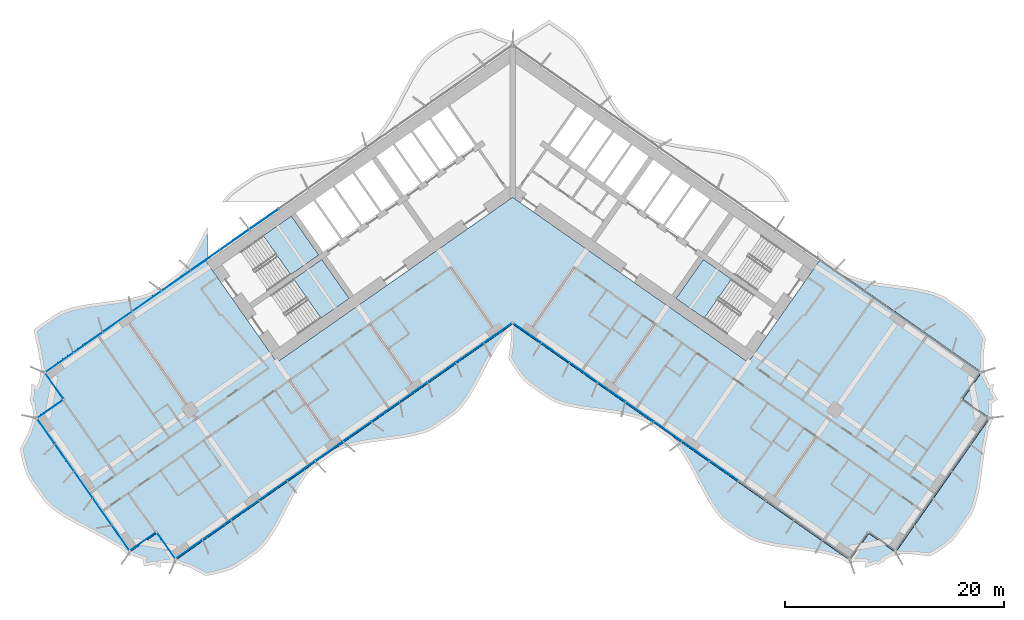
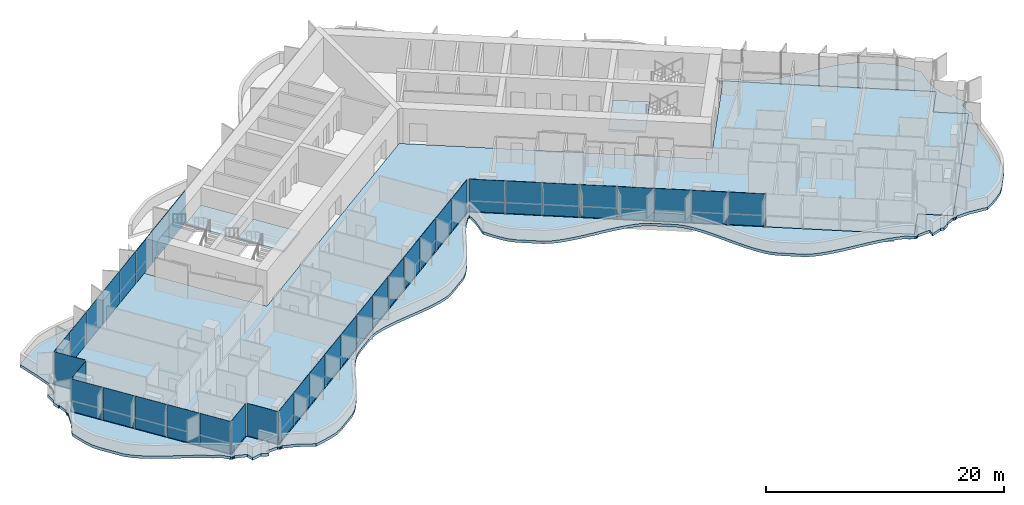
# One storey, part 11 of 24: 37 plates, 5 slabs, 5 elements without a shape of their own.
"""IFC4 building model written with IfcOpenShell, lengths in metres."""

from ifc_helpers import new_model, si_unit, direction, frame, origin, origin_2d, place, context, subcontext, project, spatial, polyline, rectangle, outline, extrude, material, layer, layer_set, type_object, element, aggregate, save


model = new_model("IFC4")

# Units and contexts
model_context = context("Model", 3, precision=1e-05, world=origin(), true_north=direction((0.0, 1.0)))
body_context = subcontext(model_context, "Body", "Model", "MODEL_VIEW")
ifc_project = project(units=[si_unit("LENGTHUNIT", "METRE"), si_unit("AREAUNIT", "SQUARE_METRE"), si_unit("VOLUMEUNIT", "CUBIC_METRE"), si_unit("PLANEANGLEUNIT", "RADIAN"), si_unit("MASSUNIT", "GRAM", prefix="KILO")], contexts=[model_context])

# Site, building, storey
site_placement = place(None, origin())
site = spatial("IfcSite", under=ifc_project, at=site_placement, CompositionType="ELEMENT")
building_placement = place(site_placement, origin())
building = spatial("IfcBuilding", under=site, at=building_placement, Name="Tel Ilan Convention Tower", CompositionType="ELEMENT")
storey_placement = place(building_placement, frame((0.0, 0.0, 65.300048828125)))
storey = spatial("IfcBuildingStorey", under=building, at=storey_placement, Name="L11", CompositionType="ELEMENT", Elevation=65.300048828125)

# Curtain wall, plates
ifc_material_1 = material(Name="Aluminium, bronze anodised", Category="aluminium")
curtain_wall_type_1 = type_object("IfcCurtainWallType", Name="CW1 UNITISED CURTAIN WALL, HOTEL TINTED GLASS", PredefinedType="NOTDEFINED", material=ifc_material_1)
curtain_wall_1_placement = place(storey_placement, origin())
curtain_wall_1 = element("IfcCurtainWall", 1, at=curtain_wall_1_placement, inside=storey, type_object=curtain_wall_type_1, Name="Curtain wall CW1-12.02", PredefinedType="NOTDEFINED")
ifc_material_2 = material(Name="Glass, bronze tinted, two-ply unitised", Category="glass")
ifc_layer_1 = layer(ifc_material_2, 0.028076171875)
ifc_layer_set_1 = layer_set([ifc_layer_1], Name="CW HOTEL GLASS PANEL 28")
plate_type_1 = type_object("IfcPlateType", Name="CW HOTEL GLASS PANEL 28", PredefinedType="CURTAIN_PANEL", material=ifc_layer_set_1)
plate_1_placement = place(storey_placement, frame((-30.765869140625, -8.846435546875, 0.0), z_axis=(0.0, 0.0, 1.0), x_axis=(-0.819152044289, -0.573576436351, 0.0)))
plate_1 = element("IfcPlate", 2, at=plate_1_placement, type_object=plate_type_1, Name="Glass panel", PredefinedType="CURTAIN_PANEL", context=body_context, shape_type="SweptSolid", body=[
    extrude(rectangle(XDim=3.2119140625, YDim=0.028076171875, at=origin_2d()), origin(), (0.0, 0.0, 1.0), 3.320068359375),
])
plate_2_placement = place(storey_placement, frame((-33.446044921875, -10.72314453125, 0.0), z_axis=(0.0, 0.0, 1.0), x_axis=(-0.819152044289, -0.573576436351, 0.0)))
plate_2 = element("IfcPlate", 3, at=plate_2_placement, type_object=plate_type_1, Name="Glass panel", PredefinedType="CURTAIN_PANEL", context=body_context, shape_type="SweptSolid", body=[
    extrude(rectangle(XDim=3.2119140625, YDim=0.028076171875, at=origin_2d()), origin(), (0.0, 0.0, 1.0), 3.320068359375),
])
plate_3_placement = place(storey_placement, frame((-36.12646484375, -12.599853515625, 0.0), z_axis=(0.0, 0.0, 1.0), x_axis=(-0.819152044289, -0.573576436351, 0.0)))
plate_3 = element("IfcPlate", 4, at=plate_3_placement, type_object=plate_type_1, Name="Glass panel", PredefinedType="CURTAIN_PANEL", context=body_context, shape_type="SweptSolid", body=[
    extrude(rectangle(XDim=3.2119140625, YDim=0.028076171875, at=origin_2d()), origin(), (0.0, 0.0, 1.0), 3.320068359375),
])
plate_4_placement = place(storey_placement, frame((-38.806640625, -14.4765625, 0.0), z_axis=(0.0, 0.0, 1.0), x_axis=(-0.819152044289, -0.573576436351, 0.0)))
plate_4 = element("IfcPlate", 5, at=plate_4_placement, type_object=plate_type_1, Name="Glass panel", PredefinedType="CURTAIN_PANEL", context=body_context, shape_type="SweptSolid", body=[
    extrude(rectangle(XDim=3.2119140625, YDim=0.028076171875, at=origin_2d()), origin(), (0.0, 0.0, 1.0), 3.320068359375),
])
plate_5_placement = place(storey_placement, frame((-41.448486328125, -16.326416015625, 0.0), z_axis=(0.0, 0.0, 1.0), x_axis=(-0.819152044289, -0.573576436351, 0.0)))
plate_5 = element("IfcPlate", 6, at=plate_5_placement, type_object=plate_type_1, Name="Glass panel", PredefinedType="CURTAIN_PANEL", context=body_context, shape_type="SweptSolid", body=[
    extrude(rectangle(XDim=3.117919921875, YDim=0.028076171875, at=origin_2d()), origin(), (0.0, 0.0, 1.0), 3.320068359375),
])
plate_6_placement = place(storey_placement, frame((-41.90673828125, -18.431640625, 0.0), z_axis=(0.0, 0.0, 1.0), x_axis=(0.573576436351, -0.819152044289, 0.0)))
plate_6 = element("IfcPlate", 7, at=plate_6_placement, type_object=plate_type_1, Name="Glass panel", PredefinedType="CURTAIN_PANEL", context=body_context, shape_type="SweptSolid", body=[
    extrude(rectangle(XDim=2.875, YDim=0.028076171875, at=origin_2d()), origin(), (0.0, 0.0, 1.0), 3.320068359375),
])
plate_7_placement = place(storey_placement, frame((-42.28466796875, -20.57421875, 0.0), z_axis=(0.0, 0.0, 1.0), x_axis=(-0.819152044289, -0.573576436351, 0.0)))
plate_7 = element("IfcPlate", 8, at=plate_7_placement, type_object=plate_type_1, Name="Glass panel", PredefinedType="CURTAIN_PANEL", context=body_context, shape_type="SweptSolid", body=[
    extrude(rectangle(XDim=2.875, YDim=0.028076171875, at=origin_2d()), origin(), (0.0, 0.0, 1.0), 3.320068359375),
])
plate_8_placement = place(storey_placement, frame((-42.65185546875, -22.597900390625, 0.0), z_axis=(0.0, 0.0, 1.0), x_axis=(0.573576436351, -0.819152044289, 0.0)))
plate_8 = element("IfcPlate", 9, at=plate_8_placement, type_object=plate_type_1, Name="Glass panel", PredefinedType="CURTAIN_PANEL", context=body_context, shape_type="SweptSolid", body=[
    extrude(rectangle(XDim=2.845947265625, YDim=0.028076171875, at=origin_2d()), origin(), (0.0, 0.0, 1.0), 3.320068359375),
])
plate_9_placement = place(storey_placement, frame((-40.9580078125, -25.016845703125, 0.0), z_axis=(0.0, 0.0, 1.0), x_axis=(0.573576436351, -0.819152044289, 0.0)))
plate_9 = element("IfcPlate", 10, at=plate_9_placement, type_object=plate_type_1, Name="Glass panel", PredefinedType="CURTAIN_PANEL", context=body_context, shape_type="SweptSolid", body=[
    extrude(rectangle(XDim=2.93994140625, YDim=0.028076171875, at=origin_2d()), origin(), (0.0, 0.0, 1.0), 3.320068359375),
])
plate_10_placement = place(storey_placement, frame((-39.2373046875, -27.474365234375, 0.0), z_axis=(0.0, 0.0, 1.0), x_axis=(0.573576436351, -0.819152044289, 0.0)))
plate_10 = element("IfcPlate", 11, at=plate_10_placement, type_object=plate_type_1, Name="Glass panel", PredefinedType="CURTAIN_PANEL", context=body_context, shape_type="SweptSolid", body=[
    extrude(rectangle(XDim=2.93994140625, YDim=0.028076171875, at=origin_2d()), origin(), (0.0, 0.0, 1.0), 3.320068359375),
])
plate_11_placement = place(storey_placement, frame((-37.5166015625, -29.931884765625, 0.0), z_axis=(0.0, 0.0, 1.0), x_axis=(0.573576436351, -0.819152044289, 0.0)))
plate_11 = element("IfcPlate", 12, at=plate_11_placement, type_object=plate_type_1, Name="Glass panel", PredefinedType="CURTAIN_PANEL", context=body_context, shape_type="SweptSolid", body=[
    extrude(rectangle(XDim=2.93994140625, YDim=0.028076171875, at=origin_2d()), origin(), (0.0, 0.0, 1.0), 3.320068359375),
])
plate_12_placement = place(storey_placement, frame((-35.822998046875, -32.350830078125, 0.0), z_axis=(0.0, 0.0, 1.0), x_axis=(0.573576436351, -0.819152044289, 0.0)))
plate_12 = element("IfcPlate", 13, at=plate_12_placement, type_object=plate_type_1, Name="Glass panel", PredefinedType="CURTAIN_PANEL", context=body_context, shape_type="SweptSolid", body=[
    extrude(rectangle(XDim=2.845947265625, YDim=0.028076171875, at=origin_2d()), origin(), (0.0, 0.0, 1.0), 3.320068359375),
])
plate_13_placement = place(storey_placement, frame((-33.795654296875, -32.69775390625, 0.0), z_axis=(0.0, 0.0, 1.0), x_axis=(0.819152044289, 0.573576436351, 0.0)))
plate_13 = element("IfcPlate", 14, at=plate_13_placement, type_object=plate_type_1, Name="Glass panel", PredefinedType="CURTAIN_PANEL", context=body_context, shape_type="SweptSolid", body=[
    extrude(rectangle(XDim=2.875, YDim=0.028076171875, at=origin_2d()), origin(), (0.0, 0.0, 1.0), 3.320068359375),
])
plate_14_placement = place(storey_placement, frame((-31.653076171875, -33.07568359375, 0.0), z_axis=(0.0, 0.0, 1.0), x_axis=(0.573576436351, -0.819152044289, 0.0)))
plate_14 = element("IfcPlate", 15, at=plate_14_placement, type_object=plate_type_1, Name="Glass panel", PredefinedType="CURTAIN_PANEL", context=body_context, shape_type="SweptSolid", body=[
    extrude(rectangle(XDim=2.875, YDim=0.028076171875, at=origin_2d()), origin(), (0.0, 0.0, 1.0), 3.320068359375),
])
plate_15_placement = place(storey_placement, frame((-29.5732421875, -33.4033203125, 0.0), z_axis=(0.0, 0.0, 1.0), x_axis=(0.819152044289, 0.573576436351, 0.0)))
plate_15 = element("IfcPlate", 16, at=plate_15_placement, type_object=plate_type_1, Name="Glass panel", PredefinedType="CURTAIN_PANEL", context=body_context, shape_type="SweptSolid", body=[
    extrude(rectangle(XDim=2.9833984375, YDim=0.028076171875, at=origin_2d()), origin(), (0.0, 0.0, 1.0), 3.320068359375),
])
plate_16_placement = place(storey_placement, frame((-27.041748046875, -31.630859375, 0.0), z_axis=(0.0, 0.0, 1.0), x_axis=(0.819152044289, 0.573576436351, 0.0)))
plate_16 = element("IfcPlate", 17, at=plate_16_placement, type_object=plate_type_1, Name="Glass panel", PredefinedType="CURTAIN_PANEL", context=body_context, shape_type="SweptSolid", body=[
    extrude(rectangle(XDim=3.077392578125, YDim=0.028076171875, at=origin_2d()), origin(), (0.0, 0.0, 1.0), 3.320068359375),
])
plate_17_placement = place(storey_placement, frame((-24.4716796875, -29.831298828125, 0.0), z_axis=(0.0, 0.0, 1.0), x_axis=(0.819152044289, 0.573576436351, 0.0)))
plate_17 = element("IfcPlate", 18, at=plate_17_placement, type_object=plate_type_1, Name="Glass panel", PredefinedType="CURTAIN_PANEL", context=body_context, shape_type="SweptSolid", body=[
    extrude(rectangle(XDim=3.077392578125, YDim=0.028076171875, at=origin_2d()), origin(), (0.0, 0.0, 1.0), 3.320068359375),
])
plate_18_placement = place(storey_placement, frame((-21.90185546875, -28.031982421875, 0.0), z_axis=(0.0, 0.0, 1.0), x_axis=(0.819152044289, 0.573576436351, 0.0)))
plate_18 = element("IfcPlate", 19, at=plate_18_placement, type_object=plate_type_1, Name="Glass panel", PredefinedType="CURTAIN_PANEL", context=body_context, shape_type="SweptSolid", body=[
    extrude(rectangle(XDim=3.077392578125, YDim=0.028076171875, at=origin_2d()), origin(), (0.0, 0.0, 1.0), 3.320068359375),
])
plate_19_placement = place(storey_placement, frame((-19.33203125, -26.232421875, 0.0), z_axis=(0.0, 0.0, 1.0), x_axis=(0.819152044289, 0.573576436351, 0.0)))
plate_19 = element("IfcPlate", 20, at=plate_19_placement, type_object=plate_type_1, Name="Glass panel", PredefinedType="CURTAIN_PANEL", context=body_context, shape_type="SweptSolid", body=[
    extrude(rectangle(XDim=3.077392578125, YDim=0.028076171875, at=origin_2d()), origin(), (0.0, 0.0, 1.0), 3.320068359375),
])
plate_20_placement = place(storey_placement, frame((-16.761962890625, -24.432861328125, 0.0), z_axis=(0.0, 0.0, 1.0), x_axis=(0.819152044289, 0.573576436351, 0.0)))
plate_20 = element("IfcPlate", 21, at=plate_20_placement, type_object=plate_type_1, Name="Glass panel", PredefinedType="CURTAIN_PANEL", context=body_context, shape_type="SweptSolid", body=[
    extrude(rectangle(XDim=3.077392578125, YDim=0.028076171875, at=origin_2d()), origin(), (0.0, 0.0, 1.0), 3.320068359375),
])
plate_21_placement = place(storey_placement, frame((-14.192138671875, -22.633544921875, 0.0), z_axis=(0.0, 0.0, 1.0), x_axis=(0.819152044289, 0.573576436351, 0.0)))
plate_21 = element("IfcPlate", 22, at=plate_21_placement, type_object=plate_type_1, Name="Glass panel", PredefinedType="CURTAIN_PANEL", context=body_context, shape_type="SweptSolid", body=[
    extrude(rectangle(XDim=3.077392578125, YDim=0.028076171875, at=origin_2d()), origin(), (0.0, 0.0, 1.0), 3.320068359375),
])
plate_22_placement = place(storey_placement, frame((-11.6220703125, -20.833984375, 0.0), z_axis=(0.0, 0.0, 1.0), x_axis=(0.819152044289, 0.573576436351, 0.0)))
plate_22 = element("IfcPlate", 23, at=plate_22_placement, type_object=plate_type_1, Name="Glass panel", PredefinedType="CURTAIN_PANEL", context=body_context, shape_type="SweptSolid", body=[
    extrude(rectangle(XDim=3.077392578125, YDim=0.028076171875, at=origin_2d()), origin(), (0.0, 0.0, 1.0), 3.320068359375),
])
plate_23_placement = place(storey_placement, frame((-9.05224609375, -19.034423828125, 0.0), z_axis=(0.0, 0.0, 1.0), x_axis=(0.819152044289, 0.573576436351, 0.0)))
plate_23 = element("IfcPlate", 24, at=plate_23_placement, type_object=plate_type_1, Name="Glass panel", PredefinedType="CURTAIN_PANEL", context=body_context, shape_type="SweptSolid", body=[
    extrude(rectangle(XDim=3.077392578125, YDim=0.028076171875, at=origin_2d()), origin(), (0.0, 0.0, 1.0), 3.320068359375),
])
plate_24_placement = place(storey_placement, frame((-6.482177734375, -17.23486328125, 0.0), z_axis=(0.0, 0.0, 1.0), x_axis=(0.819152044289, 0.573576436351, 0.0)))
plate_24 = element("IfcPlate", 25, at=plate_24_placement, type_object=plate_type_1, Name="Glass panel", PredefinedType="CURTAIN_PANEL", context=body_context, shape_type="SweptSolid", body=[
    extrude(rectangle(XDim=3.077392578125, YDim=0.028076171875, at=origin_2d()), origin(), (0.0, 0.0, 1.0), 3.320068359375),
])
plate_25_placement = place(storey_placement, frame((-3.912353515625, -15.435546875, 0.0), z_axis=(0.0, 0.0, 1.0), x_axis=(0.819152044289, 0.573576436351, 0.0)))
plate_25 = element("IfcPlate", 26, at=plate_25_placement, type_object=plate_type_1, Name="Glass panel", PredefinedType="CURTAIN_PANEL", context=body_context, shape_type="SweptSolid", body=[
    extrude(rectangle(XDim=3.077392578125, YDim=0.028076171875, at=origin_2d()), origin(), (0.0, 0.0, 1.0), 3.320068359375),
])
plate_26_placement = place(storey_placement, frame((-1.3427734375, -13.63623046875, 0.0), z_axis=(0.0, 0.0, 1.0), x_axis=(0.819152044289, 0.573576436351, 0.0)))
plate_26 = element("IfcPlate", 27, at=plate_26_placement, type_object=plate_type_1, Name="Glass panel", PredefinedType="CURTAIN_PANEL", context=body_context, shape_type="SweptSolid", body=[
    extrude(rectangle(XDim=3.076416015625, YDim=0.028076171875, at=origin_2d()), origin(), (0.0, 0.0, 1.0), 3.320068359375),
])
plate_27_placement = place(storey_placement, frame((1.354248046875, -13.644287109375, 0.0), z_axis=(0.0, 0.0, 1.0), x_axis=(0.819152044289, -0.573576436351, 0.0)))
plate_27 = element("IfcPlate", 28, at=plate_27_placement, type_object=plate_type_1, Name="Glass panel", PredefinedType="CURTAIN_PANEL", context=body_context, shape_type="SweptSolid", body=[
    extrude(rectangle(XDim=3.048095703125, YDim=0.028076171875, at=origin_2d()), origin(), (0.0, 0.0, 1.0), 3.320068359375),
])
plate_28_placement = place(storey_placement, frame((3.912353515625, -15.435546875, 0.0), z_axis=(0.0, 0.0, 1.0), x_axis=(0.819152044289, -0.573576436351, 0.0)))
plate_28 = element("IfcPlate", 29, at=plate_28_placement, type_object=plate_type_1, Name="Glass panel", PredefinedType="CURTAIN_PANEL", context=body_context, shape_type="SweptSolid", body=[
    extrude(rectangle(XDim=3.077392578125, YDim=0.028076171875, at=origin_2d()), origin(), (0.0, 0.0, 1.0), 3.320068359375),
])
plate_29_placement = place(storey_placement, frame((6.482177734375, -17.23486328125, 0.0), z_axis=(0.0, 0.0, 1.0), x_axis=(0.819152044289, -0.573576436351, 0.0)))
plate_29 = element("IfcPlate", 30, at=plate_29_placement, type_object=plate_type_1, Name="Glass panel", PredefinedType="CURTAIN_PANEL", context=body_context, shape_type="SweptSolid", body=[
    extrude(rectangle(XDim=3.077392578125, YDim=0.028076171875, at=origin_2d()), origin(), (0.0, 0.0, 1.0), 3.320068359375),
])
plate_30_placement = place(storey_placement, frame((9.05224609375, -19.034423828125, 0.0), z_axis=(0.0, 0.0, 1.0), x_axis=(0.819152044289, -0.573576436351, 0.0)))
plate_30 = element("IfcPlate", 31, at=plate_30_placement, type_object=plate_type_1, Name="Glass panel", PredefinedType="CURTAIN_PANEL", context=body_context, shape_type="SweptSolid", body=[
    extrude(rectangle(XDim=3.077392578125, YDim=0.028076171875, at=origin_2d()), origin(), (0.0, 0.0, 1.0), 3.320068359375),
])
plate_31_placement = place(storey_placement, frame((11.6220703125, -20.833984375, 0.0), z_axis=(0.0, 0.0, 1.0), x_axis=(0.819152044289, -0.573576436351, 0.0)))
plate_31 = element("IfcPlate", 32, at=plate_31_placement, type_object=plate_type_1, Name="Glass panel", PredefinedType="CURTAIN_PANEL", context=body_context, shape_type="SweptSolid", body=[
    extrude(rectangle(XDim=3.077392578125, YDim=0.028076171875, at=origin_2d()), origin(), (0.0, 0.0, 1.0), 3.320068359375),
])
plate_32_placement = place(storey_placement, frame((14.192138671875, -22.633544921875, 0.0), z_axis=(0.0, 0.0, 1.0), x_axis=(0.819152044289, -0.573576436351, 0.0)))
plate_32 = element("IfcPlate", 33, at=plate_32_placement, type_object=plate_type_1, Name="Glass panel", PredefinedType="CURTAIN_PANEL", context=body_context, shape_type="SweptSolid", body=[
    extrude(rectangle(XDim=3.077392578125, YDim=0.028076171875, at=origin_2d()), origin(), (0.0, 0.0, 1.0), 3.320068359375),
])
plate_33_placement = place(storey_placement, frame((16.761962890625, -24.432861328125, 0.0), z_axis=(0.0, 0.0, 1.0), x_axis=(0.819152044289, -0.573576436351, 0.0)))
plate_33 = element("IfcPlate", 34, at=plate_33_placement, type_object=plate_type_1, Name="Glass panel", PredefinedType="CURTAIN_PANEL", context=body_context, shape_type="SweptSolid", body=[
    extrude(rectangle(XDim=3.077392578125, YDim=0.028076171875, at=origin_2d()), origin(), (0.0, 0.0, 1.0), 3.320068359375),
])
plate_34_placement = place(storey_placement, frame((19.33203125, -26.232421875, 0.0), z_axis=(0.0, 0.0, 1.0), x_axis=(0.819152044289, -0.573576436351, 0.0)))
plate_34 = element("IfcPlate", 35, at=plate_34_placement, type_object=plate_type_1, Name="Glass panel", PredefinedType="CURTAIN_PANEL", context=body_context, shape_type="SweptSolid", body=[
    extrude(rectangle(XDim=3.077392578125, YDim=0.028076171875, at=origin_2d()), origin(), (0.0, 0.0, 1.0), 3.320068359375),
])
aggregate(curtain_wall_1, [plate_1, plate_2, plate_3, plate_4, plate_5, plate_6, plate_7, plate_8, plate_9, plate_10, plate_11, plate_12, plate_13, plate_14, plate_15, plate_16, plate_17, plate_18, plate_19, plate_20, plate_21, plate_22, plate_23, plate_24, plate_25, plate_26, plate_27, plate_28, plate_29, plate_30, plate_31, plate_32, plate_33, plate_34])

ifc_material_3 = material(Name="Aluminium, bronze anodised", Category="aluminium")
curtain_wall_type_2 = type_object("IfcCurtainWallType", Name="CW2 STICK CURTAIN WALL, SPANDREL PANELS", PredefinedType="NOTDEFINED", material=ifc_material_3)
curtain_wall_2_placement = place(storey_placement, origin())
curtain_wall_2 = element("IfcCurtainWall", 36, at=curtain_wall_2_placement, inside=storey, type_object=curtain_wall_type_2, Name="Curtain wall CW2-12.01", PredefinedType="NOTDEFINED")
ifc_material_4 = material(Name="Aluminium composite panel, bronze anodised", Category="aluminium")
ifc_layer_2 = layer(ifc_material_4, 0.06005859375)
ifc_layer_set_2 = layer_set([ifc_layer_2], Name="CW SPANDREL PANEL 60")
plate_type_2 = type_object("IfcPlateType", Name="CW SPANDREL PANEL 60", PredefinedType="CURTAIN_PANEL", material=ifc_layer_set_2)
plate_35_placement = place(storey_placement, frame((-22.72509765625, -3.216064453125, 0.0), z_axis=(0.0, 0.0, 1.0), x_axis=(-0.819152044289, -0.573576436351, 0.0)))
plate_35 = element("IfcPlate", 37, at=plate_35_placement, type_object=plate_type_2, Name="Spandrel panel", PredefinedType="CURTAIN_PANEL", context=body_context, shape_type="SweptSolid", body=[
    extrude(rectangle(XDim=3.2119140625, YDim=0.06005859375, at=origin_2d()), origin(), (0.0, 0.0, 1.0), 3.320068359375),
])
plate_36_placement = place(storey_placement, frame((-25.4052734375, -5.0927734375, 0.0), z_axis=(0.0, 0.0, 1.0), x_axis=(-0.819152044289, -0.573576436351, 0.0)))
plate_36 = element("IfcPlate", 38, at=plate_36_placement, type_object=plate_type_2, Name="Spandrel panel", PredefinedType="CURTAIN_PANEL", context=body_context, shape_type="SweptSolid", body=[
    extrude(rectangle(XDim=3.2119140625, YDim=0.06005859375, at=origin_2d()), origin(), (0.0, 0.0, 1.0), 3.320068359375),
])
plate_37_placement = place(storey_placement, frame((-28.08544921875, -6.9697265625, 0.0), z_axis=(0.0, 0.0, 1.0), x_axis=(-0.819152044289, -0.573576436351, 0.0)))
plate_37 = element("IfcPlate", 39, at=plate_37_placement, type_object=plate_type_2, Name="Spandrel panel", PredefinedType="CURTAIN_PANEL", context=body_context, shape_type="SweptSolid", body=[
    extrude(rectangle(XDim=3.2119140625, YDim=0.06005859375, at=origin_2d()), origin(), (0.0, 0.0, 1.0), 3.320068359375),
])
aggregate(curtain_wall_2, [plate_35, plate_36, plate_37])

# Stair, slab
ifc_material_5 = material(Name="Concrete C40/50", Category="concrete")
stair_type = type_object("IfcStairType", Name="Pressurised Exit Stair 20 risers 180 mm", PredefinedType="HALF_TURN_STAIR", material=ifc_material_5)
stair_1_placement = place(storey_placement, origin())
stair_1 = element("IfcStair", 40, at=stair_1_placement, inside=storey, type_object=stair_type, Name="L11 Pressurised Stair S1", PredefinedType="HALF_TURN_STAIR")
ifc_material_6 = material(Name="Concrete C40/50", Category="concrete")
ifc_layer_3 = layer(ifc_material_6, 0.199951171875)
ifc_layer_set_3 = layer_set([ifc_layer_3], Name="Concrete Stair Landing 200 mm C40/50")
slab_type_1 = type_object("IfcSlabType", Name="Concrete Stair Landing 200 mm", PredefinedType="LANDING", material=ifc_layer_set_3)
slab_1_placement = place(storey_placement, frame((0.0, 0.0, 1.599853515625)))
slab_1 = element("IfcSlab", 41, at=slab_1_placement, type_object=slab_type_1, Name="S1 landing 1", PredefinedType="LANDING", context=body_context, shape_type="SweptSolid", body=[
    extrude(outline(polyline([(-20.2958984375, -8.29052734375), (-17.7314453125, -6.494873046875), (-20.226318359375, -2.931640625), (-22.791015625, -4.727294921875), (-20.2958984375, -8.29052734375)])), origin(), (0.0, 0.0, 1.0), 0.2001953125),
])
aggregate(stair_1, [slab_1])

stair_2_placement = place(storey_placement, origin())
stair_2 = element("IfcStair", 42, at=stair_2_placement, inside=storey, type_object=stair_type, Name="L11 Pressurised Stair S2", PredefinedType="HALF_TURN_STAIR")
slab_2_placement = place(storey_placement, frame((0.0, 0.0, 1.599853515625)))
slab_2 = element("IfcSlab", 43, at=slab_2_placement, type_object=slab_type_1, Name="S2 landing 1", PredefinedType="LANDING", context=body_context, shape_type="SweptSolid", body=[
    extrude(outline(polyline([(-17.51416015625, -12.263427734375), (-14.949462890625, -10.4677734375), (-17.444580078125, -6.904541015625), (-20.00927734375, -8.7001953125), (-17.51416015625, -12.263427734375)])), origin(), (0.0, 0.0, 1.0), 0.2001953125),
])
aggregate(stair_2, [slab_2])

stair_3_placement = place(storey_placement, origin())
stair_3 = element("IfcStair", 44, at=stair_3_placement, inside=storey, type_object=stair_type, Name="L11 Pressurised Stair S4", PredefinedType="HALF_TURN_STAIR")
slab_3_placement = place(storey_placement, frame((0.0, 0.0, 1.599853515625)))
slab_3 = element("IfcSlab", 45, at=slab_3_placement, type_object=slab_type_1, Name="S4 landing 1", PredefinedType="LANDING", context=body_context, shape_type="SweptSolid", body=[
    extrude(outline(polyline([(20.00927734375, -8.7001953125), (17.444580078125, -6.904541015625), (14.949462890625, -10.4677734375), (17.51416015625, -12.263427734375), (20.00927734375, -8.7001953125)])), origin(), (0.0, 0.0, 1.0), 0.2001953125),
])
aggregate(stair_3, [slab_3])

# Slabs
ifc_material_7 = material(Name="Concrete C40/50", Category="concrete")
ifc_layer_4 = layer(ifc_material_7, 0.280029296875)
ifc_layer_set_4 = layer_set([ifc_layer_4], Name="Edge Ledge Slab 280 mm C40/50")
slab_type_2 = type_object("IfcSlabType", Name="Edge Ledge Slab 280 mm C40/50", PredefinedType="FLOOR", material=ifc_layer_set_4)
slab_4_placement = place(storey_placement, frame((0.0, 0.0, -0.280029296875)))
element("IfcSlab", 46, at=slab_4_placement, inside=storey, type_object=slab_type_2, Name="L11 edge ledge 1", PredefinedType="FLOOR", context=body_context, shape_type="SweptSolid", body=[
    extrude(outline(polyline([(-30.83935546875, -34.412109375), (0.0, -12.818115234375), (30.83935546875, -34.412109375), (31.006591796875, -34.173095703125), (31.8720703125, -32.93701171875), (32.56005859375, -31.95458984375), (35.017578125, -33.67529296875), (43.62109375, -21.387939453125), (41.163818359375, -19.667236328125), (42.884521484375, -17.209716796875), (27.875, -6.7001953125), (27.875, -6.095458984375), (28.356689453125, -6.663818359375), (28.9658203125, -7.097900390625), (30.191162109375, -7.955810546875), (30.819091796875, -8.36279296875), (31.54931640625, -8.623779296875), (32.318115234375, -8.830078125), (33.117919921875, -8.99169921875), (33.940185546875, -9.120849609375), (34.77587890625, -9.2314453125), (35.614501953125, -9.337646484375), (36.44580078125, -9.4541015625), (37.260009765625, -9.595458984375), (38.0478515625, -9.774169921875), (38.80126953125, -10.001953125), (39.492919921875, -10.318115234375), (41.330810546875, -11.605224609375), (41.898193359375, -12.098876953125), (42.38134765625, -12.712890625), (42.827880859375, -13.378662109375), (43.245849609375, -14.085693359375), (43.041259765625, -15.681884765625), (43.056396484375, -16.964111328125), (43.05322265625, -16.96875), (43.096435546875, -16.997802734375), (43.16162109375, -17.094970703125), (43.184326171875, -17.209716796875), (43.16162109375, -17.32470703125), (43.12548828125, -17.378662109375), (43.130126953125, -17.3818359375), (43.590087890625, -18.400390625), (43.980224609375, -18.259765625), (43.89599609375, -18.9287109375), (44.357421875, -19.7060546875), (43.8017578125, -20.049560546875), (43.78125, -20.04541015625), (43.793212890625, -21.142333984375), (43.789794921875, -21.14697265625), (43.833251953125, -21.17578125), (43.898193359375, -21.273193359375), (43.921142578125, -21.387939453125), (43.898193359375, -21.502685546875), (43.8623046875, -21.556884765625), (43.866943359375, -21.56005859375), (43.5263671875, -22.2373046875), (43.40673828125, -23.069091796875), (43.24267578125, -23.86962890625), (43.11181640625, -24.693603515625), (43.00048828125, -25.53125), (42.89404296875, -26.372314453125), (42.777587890625, -27.20654296875), (42.63720703125, -28.023681640625), (42.45947265625, -28.814697265625), (42.232421875, -29.571533203125), (41.919921875, -30.268310546875), (40.62939453125, -32.111328125), (40.13671875, -32.681884765625), (39.521728515625, -33.1669921875), (38.8544921875, -33.615234375), (38.145751953125, -34.034423828125), (36.55078125, -33.833251953125), (35.26318359375, -33.847412109375), (35.258544921875, -33.843994140625), (35.2294921875, -33.887451171875), (35.13232421875, -33.952392578125), (35.017578125, -33.975341796875), (34.902587890625, -33.952392578125), (34.8486328125, -33.91650390625), (34.845458984375, -33.921142578125), (33.979248046875, -34.3603515625), (34.032958984375, -34.45068359375), (33.477294921875, -34.794189453125), (33.17138671875, -34.73291015625), (32.20068359375, -35.082763671875), (32.267822265625, -34.55126953125), (32.01025390625, -34.49951171875), (31.0849609375, -34.583984375), (31.080322265625, -34.580810546875), (31.051513671875, -34.624267578125), (30.9541015625, -34.689208984375), (30.83935546875, -34.7119140625), (30.724609375, -34.689208984375), (30.67041015625, -34.653076171875), (30.667236328125, -34.65771484375), (30.052001953125, -34.24951171875), (29.31787109375, -34.010986328125), (28.5576171875, -33.809814453125), (27.76708984375, -33.6513671875), (26.955078125, -33.5244140625), (26.130126953125, -33.415283203125), (25.302490234375, -33.310546875), (24.481689453125, -33.19580078125), (23.67724609375, -33.0576171875), (22.898193359375, -32.8828125), (22.15234375, -32.6611328125), (21.460693359375, -32.362060546875), (19.646728515625, -31.091796875), (19.073486328125, -30.623291015625), (18.59130859375, -30.025146484375), (18.145263671875, -29.375), (17.728759765625, -28.682861328125), (17.333251953125, -27.960693359375), (16.949462890625, -27.2216796875), (16.567626953125, -26.47998046875), (16.177734375, -25.749755859375), (15.7705078125, -25.044189453125), (15.33740234375, -24.376220703125), (14.8701171875, -23.75634765625), (14.340576171875, -23.2255859375), (12.526611328125, -21.95556640625), (11.8798828125, -21.591796875), (11.14892578125, -21.3486328125), (10.38232421875, -21.15673828125), (9.5869140625, -21.005615234375), (8.771484375, -20.883056640625), (7.9453125, -20.77587890625), (7.1181640625, -20.67041015625), (6.2998046875, -20.552001953125), (5.499755859375, -20.40771484375), (4.726806640625, -20.224609375), (3.98828125, -19.9921875), (3.320068359375, -19.65966796875), (1.505859375, -18.389404296875), (0.95361328125, -17.89111328125), (0.47900390625, -17.281982421875), (0.03955078125, -16.62255859375), (-0.37109375, -15.922119140625), (-0.15185546875, -14.322021484375), (-0.16796875, -13.314697265625), (-0.422119140625, -13.502197265625), (-0.897216796875, -14.110595703125), (-1.346435546875, -14.75634765625), (-1.765380859375, -15.44482421875), (-2.16259765625, -16.16455078125), (-2.547119140625, -16.90234375), (-2.9287109375, -17.644287109375), (-3.3173828125, -18.37646484375), (-3.722412109375, -19.0849609375), (-4.15283203125, -19.757080078125), (-4.616455078125, -20.38232421875), (-5.134033203125, -20.929931640625), (-6.947998046875, -22.2001953125), (-7.584228515625, -22.57861328125), (-8.311279296875, -22.8271484375), (-9.074951171875, -23.023681640625), (-9.867919921875, -23.178466796875), (-10.681640625, -23.30322265625), (-11.507080078125, -23.4111328125), (-12.334716796875, -23.516357421875), (-13.154296875, -23.6328125), (-13.95654296875, -23.774169921875), (-14.732666015625, -23.952880859375), (-15.474853515625, -24.1796875), (-16.154541015625, -24.495849609375), (-17.96875, -25.76611328125), (-18.531494140625, -26.249267578125), (-19.010009765625, -26.85302734375), (-19.45263671875, -27.5078125), (-19.86669921875, -28.20361328125), (-20.2607421875, -28.927978515625), (-20.643798828125, -29.66748046875), (-21.02587890625, -30.40869140625), (-21.4169921875, -31.13720703125), (-21.826416015625, -31.839599609375), (-22.262939453125, -32.50341796875), (-22.733642578125, -33.117919921875), (-23.27490234375, -33.632080078125), (-25.0888671875, -34.90234375), (-25.74609375, -35.2509765625), (-26.48095703125, -35.488525390625), (-27.250732421875, -35.676025390625), (-28.049560546875, -35.822265625), (-29.47802734375, -35.069091796875), (-30.667236328125, -34.65771484375), (-30.67041015625, -34.653076171875), (-30.724609375, -34.689208984375), (-30.83935546875, -34.7119140625), (-30.9541015625, -34.689208984375), (-31.051513671875, -34.624267578125), (-31.080322265625, -34.580810546875), (-31.0849609375, -34.583984375), (-32.199462890625, -34.66796875), (-32.20068359375, -35.082763671875), (-32.80029296875, -34.77490234375), (-33.688720703125, -34.9423828125), (-33.821533203125, -34.302734375), (-33.810546875, -34.284912109375), (-34.845458984375, -33.921142578125), (-34.8486328125, -33.91650390625), (-34.902587890625, -33.952392578125), (-35.017578125, -33.975341796875), (-35.13232421875, -33.952392578125), (-35.2294921875, -33.887451171875), (-35.258544921875, -33.843994140625), (-35.26318359375, -33.847412109375), (-35.783203125, -33.2958984375), (-36.523681640625, -32.89892578125), (-37.22021484375, -32.470703125), (-37.94970703125, -32.066162109375), (-38.698486328125, -31.6748046875), (-39.452392578125, -31.287353515625), (-40.196533203125, -30.892578125), (-40.91650390625, -30.481201171875), (-41.59912109375, -30.04345703125), (-42.232421875, -29.571533203125), (-42.7802734375, -29.03955078125), (-44.07080078125, -27.1962890625), (-44.438720703125, -26.538330078125), (-44.68408203125, -25.794677734375), (-44.876953125, -25.01416015625), (-45.028564453125, -24.20458984375), (-44.2939453125, -22.77490234375), (-43.866943359375, -21.56005859375), (-43.8623046875, -21.556884765625), (-43.898193359375, -21.502685546875), (-43.921142578125, -21.387939453125), (-43.898193359375, -21.273193359375), (-43.833251953125, -21.17578125), (-43.789794921875, -21.14697265625), (-43.793212890625, -21.142333984375), (-43.909912109375, -20.177978515625), (-44.01318359375, -20.197509765625), (-44.14599609375, -19.55810546875), (-43.9833984375, -19.29150390625), (-43.980224609375, -18.259765625), (-43.50390625, -18.504638671875), (-43.3671875, -18.2802734375), (-43.130126953125, -17.3818359375), (-43.12548828125, -17.378662109375), (-43.16162109375, -17.32470703125), (-43.184326171875, -17.209716796875), (-43.16162109375, -17.094970703125), (-43.096435546875, -16.997802734375), (-43.05322265625, -16.96875), (-43.056396484375, -16.964111328125), (-43.364990234375, -15.219482421875), (-43.78125, -13.321044921875), (-43.168701171875, -12.89208984375), (-41.943603515625, -12.0341796875), (-41.30322265625, -11.64453125), (-40.56787109375, -11.390869140625), (-39.794921875, -11.19091796875), (-38.99169921875, -11.033935546875), (-38.1669921875, -10.90771484375), (-37.33056640625, -10.798583984375), (-36.4921875, -10.69189453125), (-35.66259765625, -10.572998046875), (-34.851318359375, -10.427734375), (-34.067138671875, -10.243408203125), (-33.318603515625, -10.0087890625), (-32.6416015625, -9.671630859375), (-30.8037109375, -8.384765625), (-30.250244140625, -7.87109375), (-29.772216796875, -7.250244140625), (-29.329345703125, -6.57861328125), (-28.91455078125, -5.8671875), (-28.518310546875, -5.129150390625), (-28.131103515625, -4.378173828125), (-27.875, -3.883544921875), (-27.875, -6.7001953125), (-42.884521484375, -17.209716796875), (-41.163818359375, -19.667236328125), (-43.62109375, -21.387939453125), (-35.017578125, -33.67529296875), (-32.56005859375, -31.95458984375), (-31.8720703125, -32.93701171875), (-31.008056640625, -34.1708984375), (-30.83935546875, -34.412109375)])), origin(), (0.0, 0.0, 1.0), 0.280029296875),
])
ifc_material_8 = material(Name="Concrete C40/50", Category="concrete")
ifc_layer_5 = layer(ifc_material_8, 0.280029296875)
ifc_layer_set_5 = layer_set([ifc_layer_5], Name="Flat Plate Floor Slab 280 mm C40/50")
slab_type_3 = type_object("IfcSlabType", Name="Flat Plate Floor Slab 280 mm C40/50", PredefinedType="FLOOR", material=ifc_layer_set_5)
slab_5_placement = place(storey_placement, frame((0.0, 0.0, -0.280029296875)))
element("IfcSlab", 47, at=slab_5_placement, inside=storey, type_object=slab_type_3, Name="L11 floor slab", PredefinedType="FLOOR", context=body_context, shape_type="SweptSolid", body=[
    extrude(outline(polyline([(-21.54345703125, -16.3056640625), (0.0, -1.220703125), (21.54345703125, -16.3056640625), (28.1396484375, -6.885498046875), (42.884521484375, -17.209716796875), (41.163818359375, -19.667236328125), (43.62109375, -21.387939453125), (35.017578125, -33.67529296875), (32.56005859375, -31.95458984375), (30.83935546875, -34.412109375), (0.0, -12.818115234375), (-30.83935546875, -34.412109375), (-32.56005859375, -31.95458984375), (-35.017578125, -33.67529296875), (-43.62109375, -21.387939453125), (-41.163818359375, -19.667236328125), (-42.884521484375, -17.209716796875), (-28.1396484375, -6.885498046875), (-21.54345703125, -16.3056640625)])), origin(), (0.0, 0.0, 1.0), 0.280029296875),
])

save(model, "model.ifc")
